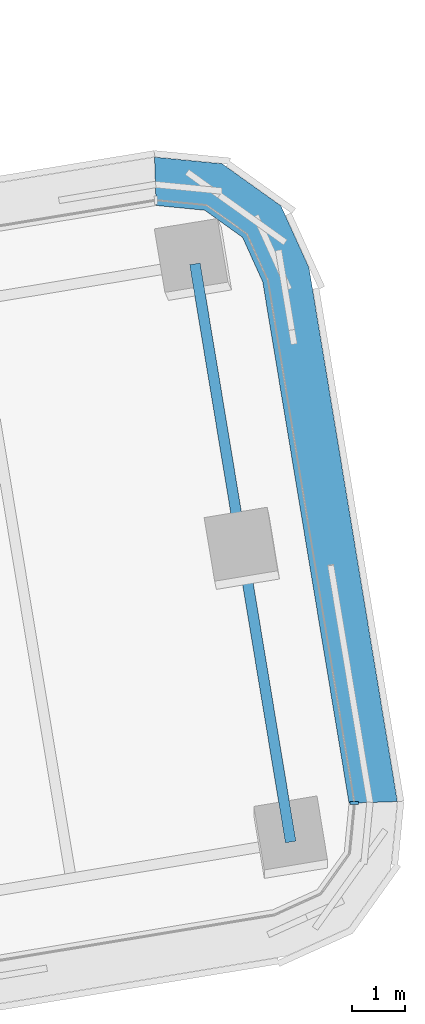
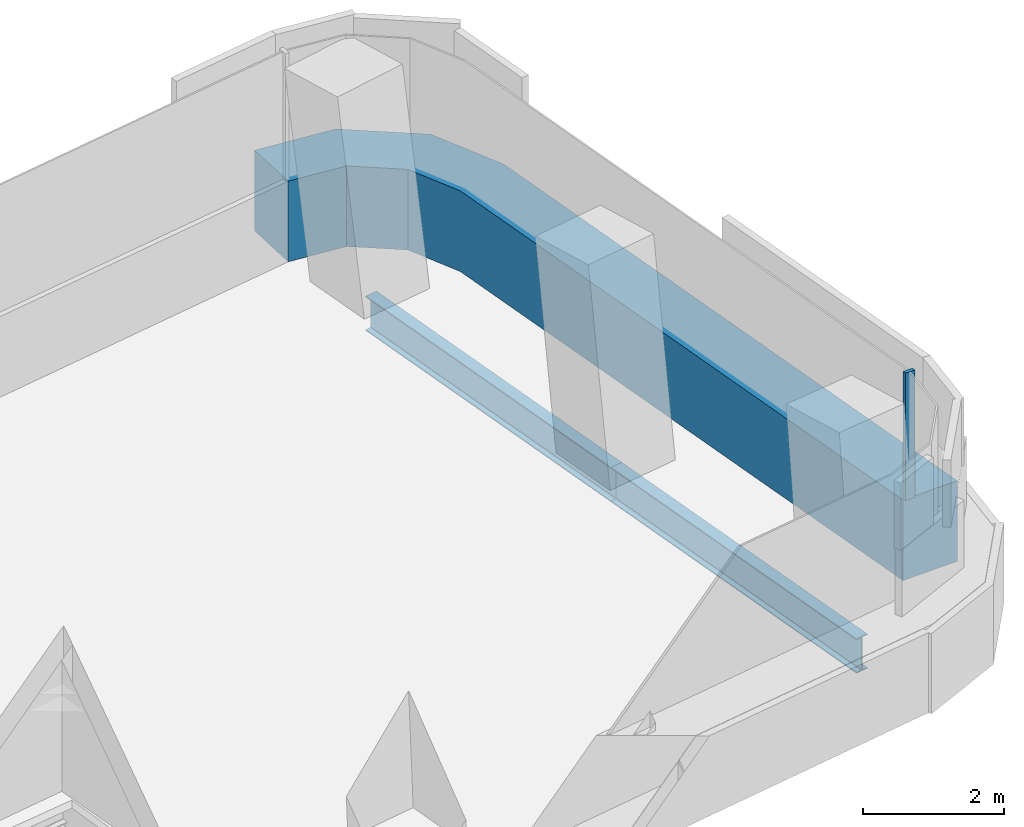
# One storey, part 14 of 32: 2 beams, 2 members, 1 element without a shape of its own.
"""IFC4 building model written with IfcOpenShell, lengths in metres."""

from ifc_helpers import new_model, si_unit, direction, frame, origin, origin_2d, place, context, subcontext, project, spatial, polyline, rectangle, i_section, outline, extrude, material, layer, layer_set, material_profile, profile_set, type_object, element, aggregate, save


model = new_model("IFC4")

# Units and contexts
model_context = context("Model", 3, precision=1e-05, world=origin(), true_north=direction((0.0, 1.0)))
body_context = subcontext(model_context, "Body", "Model", "MODEL_VIEW")
ifc_project = project(units=[si_unit("LENGTHUNIT", "METRE"), si_unit("AREAUNIT", "SQUARE_METRE"), si_unit("VOLUMEUNIT", "CUBIC_METRE"), si_unit("PLANEANGLEUNIT", "RADIAN"), si_unit("MASSUNIT", "GRAM", prefix="KILO")], contexts=[model_context])

# Site, building, storey
site_placement = place(None, origin())
site = spatial("IfcSite", under=ifc_project, at=site_placement, CompositionType="ELEMENT")
building_placement = place(site_placement, origin())
building = spatial("IfcBuilding", under=site, at=building_placement, Name="Tamarind Cross Interchange Tower", CompositionType="ELEMENT")
storey_placement = place(building_placement, frame((0.0, 0.0, 67.75)))
storey = spatial("IfcBuildingStorey", under=building, at=storey_placement, Name="L15", CompositionType="ELEMENT", Elevation=67.75)

# Beams
ifc_material_1 = material(Name="Steel Q355B", Category="steel")
ifc_material_profile_1 = material_profile(ifc_material_1, i_section(OverallWidth=0.199951171875, OverallDepth=0.60009765625, WebThickness=0.010986328125, FlangeThickness=0.01708984375, FilletRadius=0.012939453125, at=origin_2d()), Name="HN 600x200x11x17")
ifc_profile_set_1 = profile_set([ifc_material_profile_1], Name="Steel Q355B")
beam_type = type_object("IfcBeamType", Name="Composite beam HN 600x200x11x17 Q355B", PredefinedType="BEAM", material=ifc_profile_set_1)
for number, where, z_axis, x_axis, name in (
    (1, (48.214111328125, -1.233642578125, -0.43994140625), (-0.163398335812, 0.986560177513, 0.0), (-0.986560177513, -0.163398335812, 0.0), "Beam E-tip0"),
    (2, (47.3154296875, 4.1923828125, -0.43994140625), (-0.163355130843, 0.986567332333, 0.0), (-0.986567332333, -0.163355130843, 0.0), "Beam E-tip1"),
):
    element("IfcBeam", number, at=place(storey_placement, frame(where, z_axis=z_axis, x_axis=x_axis)), inside=storey, type_object=beam_type, Name=name, PredefinedType="BEAM", context=body_context, shape_type="SweptSolid", body=[
        extrude(i_section(OverallWidth=0.199951171875, OverallDepth=0.60009765625, WebThickness=0.010986328125, FlangeThickness=0.01708984375, FilletRadius=0.012939453125, at=origin_2d()), origin(), (0.0, 0.0, 1.0), 5.5),
    ])

# Curtain wall, members
ifc_material_2 = material(Name="Aluminium 6063-T6", Category="aluminium")
ifc_layer = layer(ifc_material_2, 0.159912109375)
ifc_layer_set = layer_set([ifc_layer], Name="Aluminium 6063-T6")
curtain_wall_type = type_object("IfcCurtainWallType", Name="Office curtain wall, 9.0 m bays", PredefinedType="NOTDEFINED", material=ifc_layer_set)
curtain_wall_placement = place(storey_placement, origin())
curtain_wall = element("IfcCurtainWall", 3, at=curtain_wall_placement, inside=storey, type_object=curtain_wall_type, Name="CWS-L15-12", PredefinedType="NOTDEFINED")
ifc_material_3 = material(Name="Aluminium and insulated spandrel panel", Category="aluminium")
member_type_1 = type_object("IfcMemberType", Name="Floor-edge blade transom", PredefinedType="USERDEFINED", material=ifc_material_3)
member_1_placement = place(storey_placement, origin())
member_1 = element("IfcMember", 4, at=member_1_placement, type_object=member_type_1, Name="CWT-L15-12", ObjectType="TRANSOM", PredefinedType="USERDEFINED", context=body_context, shape_type="SweptSolid", body=[
    extrude(outline(polyline([(49.309814453125, -0.50537109375), (47.68896484375, 9.2822265625), (47.310791015625, 10.115966796875), (46.599609375, 10.625), (45.6884765625, 10.71435546875), (45.658935546875, 11.62158203125), (46.927490234375, 11.4970703125), (48.03076171875, 10.707275390625), (48.557373046875, 9.546142578125), (50.217041015625, -0.475341796875), (49.309814453125, -0.50537109375)])), origin(), (0.0, 0.0, 1.0), 1.39990234375),
])
ifc_material_profile_2 = material_profile(ifc_material_2, rectangle(XDim=0.06005859375, YDim=0.159912109375, at=origin_2d()), Name="Mullion CW1")
ifc_profile_set_2 = profile_set([ifc_material_profile_2], Name="Aluminium 6063-T6")
member_type_2 = type_object("IfcMemberType", Name="Mullion CW1", PredefinedType="MULLION", material=ifc_profile_set_2)
member_2_placement = place(storey_placement, frame((49.41064453125, -0.501953125, 1.39990234375), z_axis=(0.0, 0.0, 1.0), x_axis=(-0.033210998167, 0.999448362648, 0.0)))
member_2 = element("IfcMember", 5, at=member_2_placement, type_object=member_type_2, Name="CWM-L15-12-00", PredefinedType="MULLION", context=body_context, shape_type="SweptSolid", body=[
    extrude(rectangle(XDim=0.06005859375, YDim=0.159912109375, at=origin_2d()), origin(), (0.0, 0.0, 1.0), 2.210205078125),
])
aggregate(curtain_wall, [member_2, member_1])

save(model, "model.ifc")
